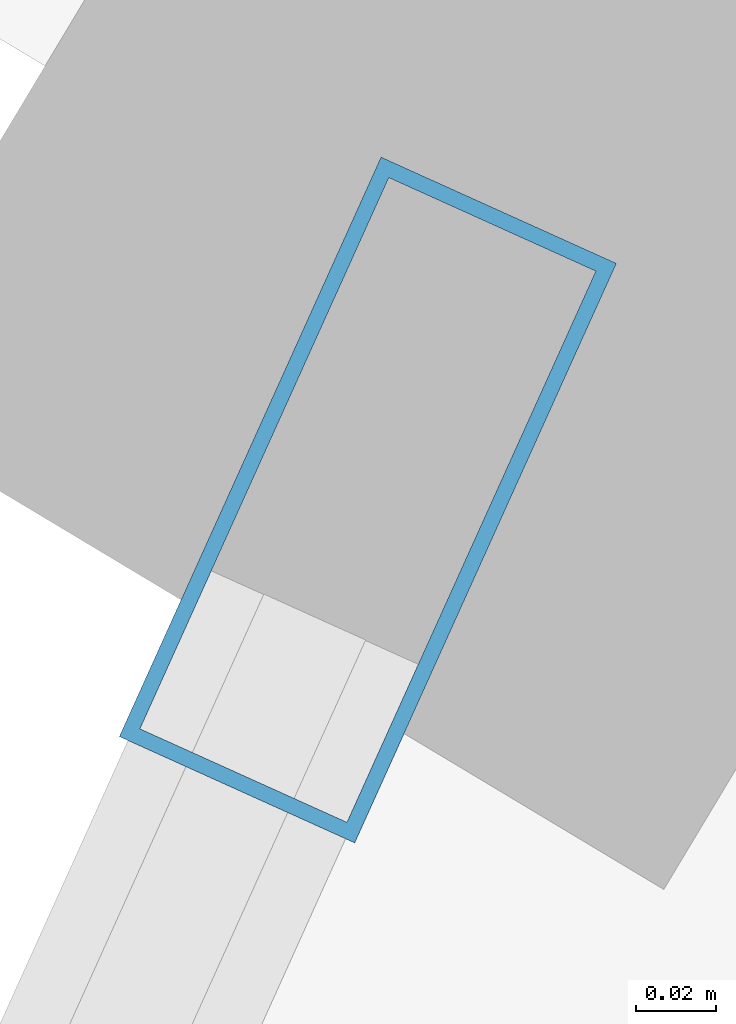
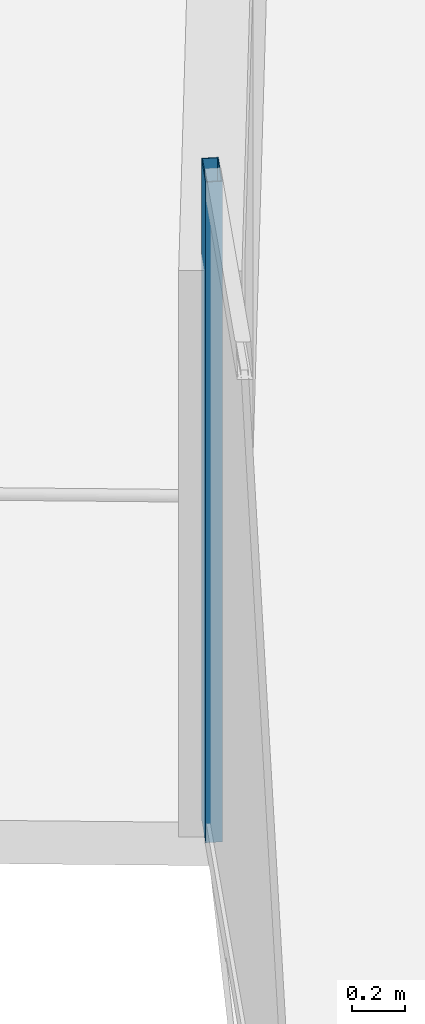
# One storey, part 11 of 33: 1 member, 1 element without a shape of its own.
"""IFC4 building model written with IfcOpenShell, lengths in metres."""

from ifc_helpers import new_model, si_unit, direction, frame, origin, origin_2d, place, context, subcontext, project, spatial, hollow_rectangle, extrude, material, layer, layer_set, material_profile, profile_set, type_object, element, aggregate, save


model = new_model("IFC4")

# Units and contexts
model_context = context("Model", 3, precision=1e-05, world=origin(), true_north=direction((0.0, 1.0)))
body_context = subcontext(model_context, "Body", "Model", "MODEL_VIEW")
ifc_project = project(units=[si_unit("LENGTHUNIT", "METRE"), si_unit("AREAUNIT", "SQUARE_METRE"), si_unit("VOLUMEUNIT", "CUBIC_METRE"), si_unit("PLANEANGLEUNIT", "RADIAN"), si_unit("MASSUNIT", "GRAM", prefix="KILO")], contexts=[model_context])

# Site, building, storey
site_placement = place(None, origin())
site = spatial("IfcSite", under=ifc_project, at=site_placement, CompositionType="ELEMENT")
building_placement = place(site_placement, origin())
building = spatial("IfcBuilding", under=site, at=building_placement, Name="Orvanel Arch Residences", CompositionType="ELEMENT")
storey_placement = place(building_placement, frame((0.0, 0.0, 206.300048828125)))
storey = spatial("IfcBuildingStorey", under=building, at=storey_placement, Name="L58", CompositionType="ELEMENT", Elevation=206.300048828125)

# Curtain wall, member
ifc_material = material(Name="Bronze-anodised aluminium AA6063-T6", Category="aluminium")
ifc_layer = layer(ifc_material, 0.175048828125)
ifc_layer_set = layer_set([ifc_layer], Name="Bronze-anodised aluminium AA6063-T6")
curtain_wall_type = type_object("IfcCurtainWallType", Name="CW4-HI-SYS", PredefinedType="NOTDEFINED", material=ifc_layer_set)
curtain_wall_placement = place(storey_placement, origin())
curtain_wall = element("IfcCurtainWall", 1, at=curtain_wall_placement, inside=storey, type_object=curtain_wall_type, Name="L58 CW4-HI-SYS Unitised Curtain Wall", PredefinedType="NOTDEFINED")
ifc_material_profile = material_profile(ifc_material, hollow_rectangle(XDim=0.06494140625, YDim=0.159912109375, WallThickness=0.00390625, at=origin_2d()), Name="ALU160x65x4")
ifc_profile_set = profile_set([ifc_material_profile], Name="Bronze-anodised aluminium AA6063-T6")
member_type = type_object("IfcMemberType", Name="MUL-160x65", PredefinedType="MULLION", material=ifc_profile_set)
member_placement = place(storey_placement, frame((16.046630859375, 24.311279296875, 0.0), z_axis=(0.0, 0.0, 1.0), x_axis=(0.911395859217, -0.411530785971, 0.0)))
member = element("IfcMember", 2, at=member_placement, type_object=member_type, Name="CW-S4 mullion 1", PredefinedType="MULLION", context=body_context, shape_type="SweptSolid", body=[
    extrude(hollow_rectangle(XDim=0.06494140625, YDim=0.159912109375, WallThickness=0.00390625, at=origin_2d()), origin(), (0.0, 0.0, 1.0), 3.06005859375),
])
aggregate(curtain_wall, [member])

save(model, "model.ifc")
